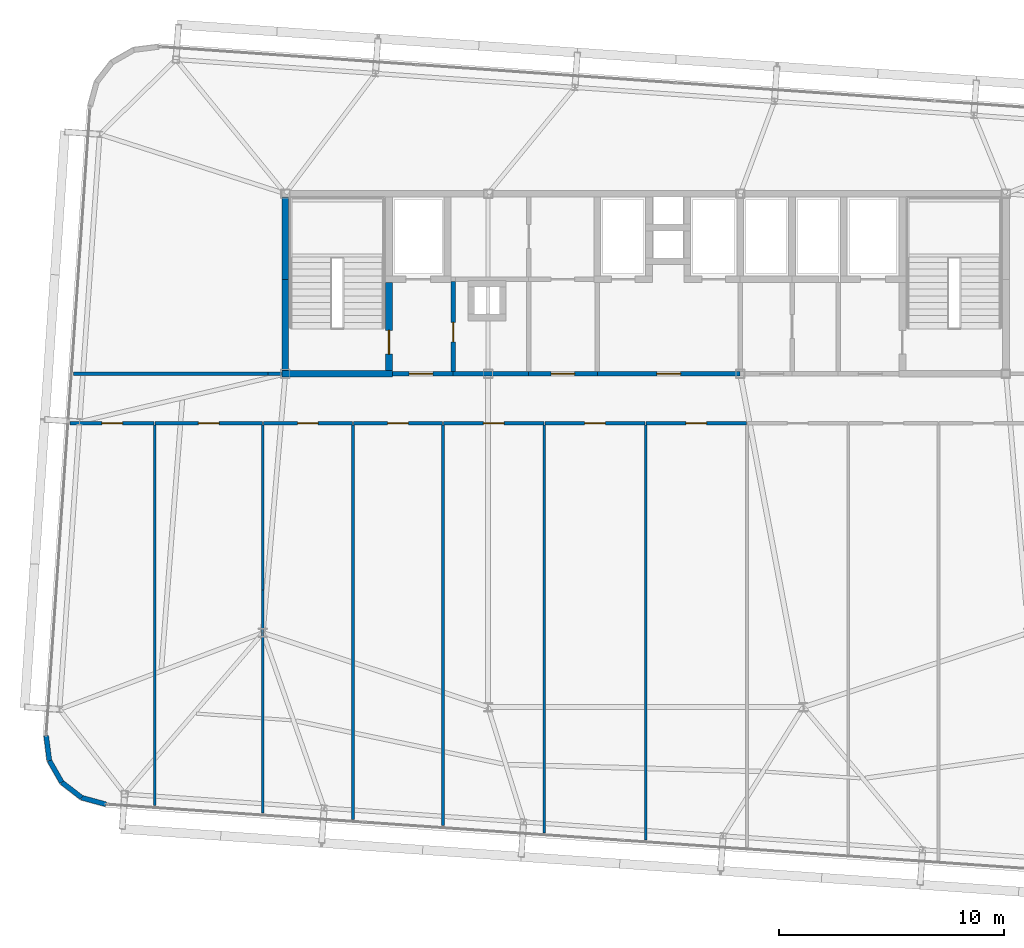
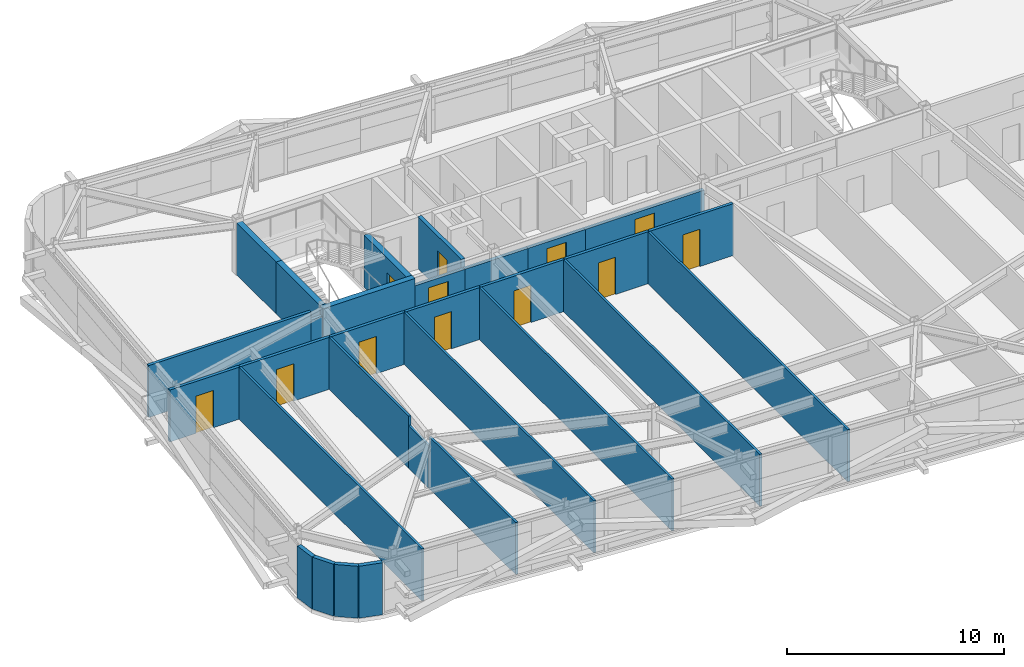
# One storey, part 35 of 39: 30 walls, 12 doors, 12 openings.
"""IFC4 building model written with IfcOpenShell, lengths in metres."""

from ifc_helpers import new_model, si_unit, direction, frame, frame_2d, origin, place, context, subcontext, project, spatial, rectangle, extrude, source, transform, mapped, material, layer, layer_set, type_object, element, fill, save


model = new_model("IFC4")

# Units and contexts
model_context = context("Model", 3, precision=1e-05, world=origin(), true_north=direction((0.0, 1.0)))
body_context = subcontext(model_context, "Body", "Model", "MODEL_VIEW")
ifc_project = project(units=[si_unit("LENGTHUNIT", "METRE"), si_unit("AREAUNIT", "SQUARE_METRE"), si_unit("VOLUMEUNIT", "CUBIC_METRE"), si_unit("PLANEANGLEUNIT", "RADIAN"), si_unit("MASSUNIT", "GRAM", prefix="KILO")], contexts=[model_context])

# Site, building, storey
site_placement = place(None, origin())
site = spatial("IfcSite", under=ifc_project, at=site_placement, CompositionType="ELEMENT")
building_placement = place(site_placement, origin())
building = spatial("IfcBuilding", under=site, at=building_placement, Name="Taldren Reach Tower", CompositionType="ELEMENT")
storey_placement = place(building_placement, frame((0.0, 0.0, 158.199951171875)))
storey = spatial("IfcBuildingStorey", under=building, at=storey_placement, Name="L48", CompositionType="ELEMENT", Elevation=158.199951171875)

# Walls
ifc_material_1 = material(Name="Pale Champagne Anodised Aluminium Cladding", Category="aluminium")
ifc_layer_1 = layer(ifc_material_1, 0.04, Name="Pale Champagne Anodised Aluminium Cladding", Category="aluminium")
ifc_material_2 = material(Name="Mineral Wool Acoustic Insulation", Category="insulation")
ifc_layer_2 = layer(ifc_material_2, 0.06, Name="Mineral Wool Acoustic Insulation", Category="insulation")
ifc_material_3 = material(Name="Steel Gr 350 (C350L0)", Category="steel")
ifc_layer_3 = layer(ifc_material_3, 0.12, Name="Steel Gr 350 (C350L0)", Category="steel")
ifc_layer_set_1 = layer_set([ifc_layer_1, ifc_layer_2, ifc_layer_3], Name="Pale Champagne Aluminium Cladding and Steel Gr 350 Stud Framing")
wall_type_1 = type_object("IfcWallType", Name="EW-CRN-220", PredefinedType="SOLIDWALL", material=ifc_layer_set_1)
shared_shape_1 = source(origin(), body_context, "Body", "SweptSolid", [
    extrude(rectangle(XDim=1.115966796875, YDim=0.219970703125, at=frame_2d((0.55810546875, 0.0))), origin(), (0.0, 0.0, 1.0), 2.929931640625),
])
for number, where, z_axis, x_axis, name in (
    (1, (8.37646484375, 7.93798828125, 0.0), (0.0, 0.0, 1.0), (0.126242535829, -0.991999406324, 0.0), "Rounded-corner pale-metal facade wall L48-SW1"),
    (2, (8.517333984375, 6.8310546875, 0.0), (0.0, 0.0, 1.0), (0.496138938357, -0.868243142124, 0.0), "Rounded-corner pale-metal facade wall L48-SW2"),
    (3, (9.071044921875, 5.862060546875, 0.0), (0.0, 0.0, 1.0), (0.790716874741, -0.612182018684, 0.0), "Rounded-corner pale-metal facade wall L48-SW3"),
    (4, (9.953369140625, 5.178955078125, 0.0), (0.0, 0.0, 1.0), (0.964804199372, -0.262969307856, 0.0), "Rounded-corner pale-metal facade wall L48-SW4"),
):
    element("IfcWall", number, at=place(storey_placement, frame(where, z_axis=z_axis, x_axis=x_axis)), inside=storey, type_object=wall_type_1, Name=name, PredefinedType="SOLIDWALL", context=body_context, shape_type="MappedRepresentation", body=[
        mapped(shared_shape_1, transform((0.0, 0.0, 0.0), scale=1.0)),
    ])

# Wall, opening, door
ifc_material_4 = material(Name="Fire-Rated Acoustic Plasterboard Stud Wall", Category="gypsum")
ifc_layer_4 = layer(ifc_material_4, 0.159912109375)
ifc_layer_set_2 = layer_set([ifc_layer_4], Name="Fire-Rated Acoustic Plasterboard Stud Wall")
wall_type_2 = type_object("IfcWallType", Name="IW-FIRE-160", PredefinedType="PARTITIONING", material=ifc_layer_set_2)
shared_shape_2 = source(origin(), body_context, "Body", "SweptSolid", [
    extrude(rectangle(XDim=3.95947265625, YDim=0.159912109375, at=frame_2d((1.979736328125, 0.0))), origin(), (0.0, 0.0, 1.0), 2.929931640625),
])
wall_1_placement = place(storey_placement, frame((21.979736328125, 21.800048828125, 0.0), z_axis=(0.0, 0.0, 1.0), x_axis=(-1.0, 0.0, 0.0)))
wall_1 = element("IfcWall", 5, at=wall_1_placement, inside=storey, type_object=wall_type_2, Name="Interior Partition Wall W-INT-L48-048", PredefinedType="PARTITIONING", context=body_context, shape_type="MappedRepresentation", body=[
    mapped(shared_shape_2, transform((0.0, 0.0, 0.0), scale=1.0)),
])
shared_shape_3 = source(origin(), body_context, "Body", "SweptSolid", [
    extrude(rectangle(XDim=0.919921875, YDim=2.10009765625, at=frame_2d((0.4599609375, 1.050048828125))), frame((0.0, 0.08984375, 0.0), z_axis=(0.0, -1.0, 0.0), x_axis=(1.0, 0.0, 0.0)), (0.0, 0.0, 1.0), 0.179931640625),
])
opening_1_placement = place(wall_1_placement, frame((1.519775390625, 0.0, 0.0)))
opening_1 = element("IfcOpeningElement", 6, at=opening_1_placement, cuts=wall_1, Name="Opening DI-092", PredefinedType="OPENING", context=body_context, shape_type="MappedRepresentation", body=[
    mapped(shared_shape_3, transform((0.0, 0.0, 0.0), scale=1.0)),
])
ifc_material_5 = material(Name="Solid-Core Timber Suite Door", Category="wood")
door_type_1 = type_object("IfcDoorType", Name="ID-INT-092", OperationType="NOTDEFINED", PredefinedType="DOOR", material=ifc_material_5)
shared_shape_4 = source(origin(), body_context, "Body", "SweptSolid", [
    extrude(rectangle(XDim=0.919921875, YDim=2.10009765625, at=frame_2d((0.4599609375, 1.050048828125))), frame((0.0, 0.02490234375, 0.0), z_axis=(0.0, -1.0, 0.0), x_axis=(1.0, 0.0, 0.0)), (0.0, 0.0, 1.0), 0.050048828125),
])
door_1_placement = place(opening_1_placement, origin())
door_1 = element("IfcDoor", 7, at=door_1_placement, inside=storey, type_object=door_type_1, Name="Interior Door DR-L48-013", OperationType="SINGLE_SWING_RIGHT", OverallHeight=2.10009765625, OverallWidth=0.919921875, PredefinedType="DOOR", context=body_context, shape_type="MappedRepresentation", body=[
    mapped(shared_shape_4, transform((0.0, 0.0, 0.0), scale=1.0)),
])
fill(opening_1, door_1)

wall_2_placement = place(storey_placement, frame((25.979736328125, 21.800048828125, 0.0), z_axis=(0.0, 0.0, 1.0), x_axis=(-1.0, 0.0, 0.0)))
wall_2 = element("IfcWall", 8, at=wall_2_placement, inside=storey, type_object=wall_type_2, Name="Interior Partition Wall W-INT-L48-049", PredefinedType="PARTITIONING", context=body_context, shape_type="MappedRepresentation", body=[
    mapped(shared_shape_2, transform((0.0, 0.0, 0.0), scale=1.0)),
])
opening_2_placement = place(wall_2_placement, frame((1.519775390625, 0.0, 0.0)))
opening_2 = element("IfcOpeningElement", 9, at=opening_2_placement, cuts=wall_2, Name="Opening DI-092", PredefinedType="OPENING", context=body_context, shape_type="MappedRepresentation", body=[
    mapped(shared_shape_3, transform((0.0, 0.0, 0.0), scale=1.0)),
])
door_2_placement = place(opening_2_placement, origin())
door_2 = element("IfcDoor", 10, at=door_2_placement, inside=storey, type_object=door_type_1, Name="Interior Door DR-L48-014", OperationType="SINGLE_SWING_LEFT", OverallHeight=2.10009765625, OverallWidth=0.919921875, PredefinedType="DOOR", context=body_context, shape_type="MappedRepresentation", body=[
    mapped(shared_shape_4, transform((0.0, 0.0, 0.0), scale=1.0)),
])
fill(opening_2, door_2)

# Walls
ifc_material_6 = material(Name="Concrete S65 (65 MPa)", Category="concrete")
ifc_layer_5 = layer(ifc_material_6, 0.300048828125)
ifc_layer_set_3 = layer_set([ifc_layer_5], Name="Concrete S65 (65 MPa)")
wall_type_3 = type_object("IfcWallType", Name="IW-CORE-300", PredefinedType="SHEAR", material=ifc_layer_set_3)
shared_shape_5 = source(origin(), body_context, "Body", "SweptSolid", [
    extrude(rectangle(XDim=4.050048828125, YDim=0.300048828125, at=frame_2d((2.02490234375, 0.0))), origin(), (0.0, 0.0, 1.0), 2.929931640625),
])
wall_3_placement = place(storey_placement, frame((19.0, 24.14990234375, 0.0), z_axis=(0.0, 0.0, 1.0), x_axis=(0.0, 1.0, 0.0)))
element("IfcWall", 11, at=wall_3_placement, inside=storey, type_object=wall_type_3, Name="Rear Core Shear Wall W-CORE-L48-WEST1", PredefinedType="SHEAR", context=body_context, shape_type="MappedRepresentation", body=[
    mapped(shared_shape_5, transform((0.0, 0.0, 0.0), scale=1.0)),
])
shared_shape_6 = source(origin(), body_context, "Body", "SweptSolid", [
    extrude(rectangle(XDim=3.650146484375, YDim=0.300048828125, at=frame_2d((1.8251953125, 0.0))), origin(), (0.0, 0.0, 1.0), 2.929931640625),
])
wall_4_placement = place(storey_placement, frame((19.0, 28.199951171875, 0.0), z_axis=(0.0, 0.0, 1.0), x_axis=(0.0, 1.0, 0.0)))
element("IfcWall", 12, at=wall_4_placement, inside=storey, type_object=wall_type_3, Name="Rear Core Shear Wall W-CORE-L48-WEST2", PredefinedType="SHEAR", context=body_context, shape_type="MappedRepresentation", body=[
    mapped(shared_shape_6, transform((0.0, 0.0, 0.0), scale=1.0)),
])

# Wall, opening, door
shared_shape_7 = source(origin(), body_context, "Body", "SweptSolid", [
    extrude(rectangle(XDim=3.900146484375, YDim=0.300048828125, at=frame_2d((1.9501953125, 0.0))), origin(), (0.0, 0.0, 1.0), 2.929931640625),
])
wall_5_placement = place(storey_placement, frame((23.60009765625, 24.14990234375, 0.0), z_axis=(0.0, 0.0, 1.0), x_axis=(0.0, 1.0, 0.0)))
wall_5 = element("IfcWall", 13, at=wall_5_placement, inside=storey, type_object=wall_type_3, Name="Rear Core Shear Wall W-INT-L48-002", PredefinedType="SHEAR", context=body_context, shape_type="MappedRepresentation", body=[
    mapped(shared_shape_7, transform((0.0, 0.0, 0.0), scale=1.0)),
])
shared_shape_8 = source(origin(), body_context, "Body", "SweptSolid", [
    extrude(rectangle(XDim=1.050048828125, YDim=2.10009765625, at=frame_2d((0.52490234375, 1.050048828125))), frame((0.0, 0.16015625, 0.0), z_axis=(0.0, -1.0, 0.0), x_axis=(1.0, 0.0, 0.0)), (0.0, 0.0, 1.0), 0.320068359375),
])
opening_3_placement = place(wall_5_placement, frame((0.72509765625, 0.0, 0.0)))
opening_3 = element("IfcOpeningElement", 14, at=opening_3_placement, cuts=wall_5, Name="Opening DF-105", PredefinedType="OPENING", context=body_context, shape_type="MappedRepresentation", body=[
    mapped(shared_shape_8, transform((0.0, 0.0, 0.0), scale=1.0)),
])
ifc_material_7 = material(Name="Fire-Rated Care and Stair Exit Door")
door_type_2 = type_object("IfcDoorType", Name="ID-FIRE-105", OperationType="NOTDEFINED", PredefinedType="DOOR", material=ifc_material_7)
shared_shape_9 = source(origin(), body_context, "Body", "SweptSolid", [
    extrude(rectangle(XDim=1.050048828125, YDim=2.10009765625, at=frame_2d((0.52490234375, 1.050048828125))), frame((0.0, 0.02490234375, 0.0), z_axis=(0.0, -1.0, 0.0), x_axis=(1.0, 0.0, 0.0)), (0.0, 0.0, 1.0), 0.050048828125),
])
door_3_placement = place(opening_3_placement, origin())
door_3 = element("IfcDoor", 15, at=door_3_placement, inside=storey, type_object=door_type_2, Name="Fire Exit Stair Door DR-L48-001", OperationType="SINGLE_SWING_LEFT", OverallHeight=2.10009765625, OverallWidth=1.050048828125, PredefinedType="DOOR", context=body_context, shape_type="MappedRepresentation", body=[
    mapped(shared_shape_9, transform((0.0, 0.0, 0.0), scale=1.0)),
])
fill(opening_3, door_3)

# Wall
shared_shape_10 = source(origin(), body_context, "Body", "SweptSolid", [
    extrude(rectangle(XDim=4.89990234375, YDim=0.300048828125, at=frame_2d((2.449951171875, 0.0))), origin(), (0.0, 0.0, 1.0), 2.929931640625),
])
wall_6_placement = place(storey_placement, frame((18.85009765625, 24.0, 0.0), z_axis=(0.0, 0.0, 1.0), x_axis=(1.0, 0.0, 0.0)))
element("IfcWall", 16, at=wall_6_placement, inside=storey, type_object=wall_type_3, Name="Rear Core Shear Wall W-INT-L48-003", PredefinedType="SHEAR", context=body_context, shape_type="MappedRepresentation", body=[
    mapped(shared_shape_10, transform((0.0, 0.0, 0.0), scale=1.0)),
])

# Wall, opening, door
ifc_material_8 = material(Name="Concrete S50 (50 MPa)", Category="concrete")
ifc_layer_6 = layer(ifc_material_8, 0.199951171875)
ifc_layer_set_4 = layer_set([ifc_layer_6], Name="Concrete S50 (50 MPa)")
wall_type_4 = type_object("IfcWallType", Name="IW-CORE-200", PredefinedType="SOLIDWALL", material=ifc_layer_set_4)
shared_shape_11 = source(origin(), body_context, "Body", "SweptSolid", [
    extrude(rectangle(XDim=2.699951171875, YDim=0.199951171875, at=frame_2d((1.35009765625, 0.0))), origin(), (0.0, 0.0, 1.0), 2.469970703125),
])
wall_7_placement = place(storey_placement, frame((23.75, 24.0, 0.0), z_axis=(0.0, 0.0, 1.0), x_axis=(1.0, 0.0, 0.0)))
wall_7 = element("IfcWall", 17, at=wall_7_placement, inside=storey, type_object=wall_type_4, Name="Rear Core Shear Wall W-INT-L48-007", PredefinedType="SOLIDWALL", context=body_context, shape_type="MappedRepresentation", body=[
    mapped(shared_shape_11, transform((0.0, 0.0, 0.0), scale=1.0)),
])
shared_shape_12 = source(origin(), body_context, "Body", "SweptSolid", [
    extrude(rectangle(XDim=1.050048828125, YDim=2.10009765625, at=frame_2d((0.52490234375, 1.050048828125))), frame((0.0, 0.10986328125, 0.0), z_axis=(0.0, -1.0, 0.0), x_axis=(1.0, 0.0, 0.0)), (0.0, 0.0, 1.0), 0.219970703125),
])
opening_4_placement = place(wall_7_placement, frame((0.75, 0.0, 0.0)))
opening_4 = element("IfcOpeningElement", 18, at=opening_4_placement, cuts=wall_7, Name="Opening DF-105", PredefinedType="OPENING", context=body_context, shape_type="MappedRepresentation", body=[
    mapped(shared_shape_12, transform((0.0, 0.0, 0.0), scale=1.0)),
])
door_4_placement = place(opening_4_placement, origin())
door_4 = element("IfcDoor", 19, at=door_4_placement, inside=storey, type_object=door_type_2, Name="Interior Door DR-L48-002", OperationType="SINGLE_SWING_LEFT", OverallHeight=2.10009765625, OverallWidth=1.050048828125, PredefinedType="DOOR", context=body_context, shape_type="MappedRepresentation", body=[
    mapped(shared_shape_9, transform((0.0, 0.0, 0.0), scale=1.0)),
])
fill(opening_4, door_4)

shared_shape_13 = source(origin(), body_context, "Body", "SweptSolid", [
    extrude(rectangle(XDim=4.0, YDim=0.199951171875, at=frame_2d((2.0, 0.0))), origin(), (0.0, 0.0, 1.0), 2.929931640625),
])
wall_8_placement = place(storey_placement, frame((26.449951171875, 24.10009765625, 0.0), z_axis=(0.0, 0.0, 1.0), x_axis=(0.0, 1.0, 0.0)))
wall_8 = element("IfcWall", 20, at=wall_8_placement, inside=storey, type_object=wall_type_4, Name="Rear Core Shear Wall W-INT-L48-006", PredefinedType="SOLIDWALL", context=body_context, shape_type="MappedRepresentation", body=[
    mapped(shared_shape_13, transform((0.0, 0.0, 0.0), scale=1.0)),
])
shared_shape_14 = source(origin(), body_context, "Body", "SweptSolid", [
    extrude(rectangle(XDim=0.860107421875, YDim=2.10009765625, at=frame_2d((0.43017578125, 1.050048828125))), frame((0.0, 0.10986328125, 0.0), z_axis=(0.0, -1.0, 0.0), x_axis=(1.0, 0.0, 0.0)), (0.0, 0.0, 1.0), 0.219970703125),
])
opening_5_placement = place(wall_8_placement, frame((1.320068359375, 0.0, 0.0)))
opening_5 = element("IfcOpeningElement", 21, at=opening_5_placement, cuts=wall_8, Name="Opening DI-086", PredefinedType="OPENING", context=body_context, shape_type="MappedRepresentation", body=[
    mapped(shared_shape_14, transform((0.0, 0.0, 0.0), scale=1.0)),
])
ifc_material_9 = material(Name="Timber Bathroom Door", Category="wood")
door_type_3 = type_object("IfcDoorType", Name="ID-INT-086", OperationType="NOTDEFINED", PredefinedType="DOOR", material=ifc_material_9)
shared_shape_15 = source(origin(), body_context, "Body", "SweptSolid", [
    extrude(rectangle(XDim=0.860107421875, YDim=2.10009765625, at=frame_2d((0.43017578125, 1.050048828125))), frame((0.0, 0.02490234375, 0.0), z_axis=(0.0, -1.0, 0.0), x_axis=(1.0, 0.0, 0.0)), (0.0, 0.0, 1.0), 0.050048828125),
])
door_5_placement = place(opening_5_placement, frame((0.860107421875, 0.0, 0.0), z_axis=(0.0, 0.0, 1.0), x_axis=(-1.0, 0.0, 0.0)))
door_5 = element("IfcDoor", 22, at=door_5_placement, inside=storey, type_object=door_type_3, Name="Interior Door DR-L48-024", OperationType="SINGLE_SWING_RIGHT", OverallHeight=2.10009765625, OverallWidth=0.860107421875, PredefinedType="DOOR", context=body_context, shape_type="MappedRepresentation", body=[
    mapped(shared_shape_15, transform((0.0, 0.0, 0.0), scale=1.0)),
])
fill(opening_5, door_5)

shared_shape_16 = source(origin(), body_context, "Body", "SweptSolid", [
    extrude(rectangle(XDim=6.349853515625, YDim=0.199951171875, at=frame_2d((3.1748046875, 0.0))), origin(), (0.0, 0.0, 1.0), 2.469970703125),
])
wall_9_placement = place(storey_placement, frame((39.199951171875, 24.0, 0.0), z_axis=(0.0, 0.0, 1.0), x_axis=(-1.0, 0.0, 0.0)))
wall_9 = element("IfcWall", 23, at=wall_9_placement, inside=storey, type_object=wall_type_4, Name="Rear Core Shear Wall W-INT-L48-033", PredefinedType="SOLIDWALL", context=body_context, shape_type="MappedRepresentation", body=[
    mapped(shared_shape_16, transform((0.0, 0.0, 0.0), scale=1.0)),
])
opening_6_placement = place(wall_9_placement, frame((2.64990234375, 0.0, 0.0)))
opening_6 = element("IfcOpeningElement", 24, at=opening_6_placement, cuts=wall_9, Name="Opening DF-105", PredefinedType="OPENING", context=body_context, shape_type="MappedRepresentation", body=[
    mapped(shared_shape_12, transform((0.0, 0.0, 0.0), scale=1.0)),
])
door_6_placement = place(opening_6_placement, frame((1.050048828125, 0.0, 0.0), z_axis=(0.0, 0.0, 1.0), x_axis=(-1.0, 0.0, 0.0)))
door_6 = element("IfcDoor", 25, at=door_6_placement, inside=storey, type_object=door_type_2, Name="Interior Door DR-L48-005", OperationType="SINGLE_SWING_LEFT", OverallHeight=2.10009765625, OverallWidth=1.050048828125, PredefinedType="DOOR", context=body_context, shape_type="MappedRepresentation", body=[
    mapped(shared_shape_9, transform((0.0, 0.0, 0.0), scale=1.0)),
])
fill(opening_6, door_6)

# Wall
shared_shape_17 = source(origin(), body_context, "Body", "SweptSolid", [
    extrude(rectangle(XDim=3.35009765625, YDim=0.199951171875, at=frame_2d((1.675048828125, 0.0))), origin(), (0.0, 0.0, 1.0), 2.469970703125),
])
wall_10_placement = place(storey_placement, frame((29.800048828125, 24.0, 0.0), z_axis=(0.0, 0.0, 1.0), x_axis=(-1.0, 0.0, 0.0)))
element("IfcWall", 26, at=wall_10_placement, inside=storey, type_object=wall_type_4, Name="Rear Core Shear Wall W-INT-L48-039", PredefinedType="SOLIDWALL", context=body_context, shape_type="MappedRepresentation", body=[
    mapped(shared_shape_17, transform((0.0, 0.0, 0.0), scale=1.0)),
])

# Wall, opening, door
shared_shape_18 = source(origin(), body_context, "Body", "SweptSolid", [
    extrude(rectangle(XDim=3.050048828125, YDim=0.199951171875, at=frame_2d((1.52490234375, 0.0))), origin(), (0.0, 0.0, 1.0), 2.469970703125),
])
wall_11_placement = place(storey_placement, frame((32.85009765625, 24.0, 0.0), z_axis=(0.0, 0.0, 1.0), x_axis=(-1.0, 0.0, 0.0)))
wall_11 = element("IfcWall", 27, at=wall_11_placement, inside=storey, type_object=wall_type_4, Name="Rear Core Shear Wall W-INT-L48-041", PredefinedType="SOLIDWALL", context=body_context, shape_type="MappedRepresentation", body=[
    mapped(shared_shape_18, transform((0.0, 0.0, 0.0), scale=1.0)),
])
opening_7_placement = place(wall_11_placement, frame((1.0, 0.0, 0.0)))
opening_7 = element("IfcOpeningElement", 28, at=opening_7_placement, cuts=wall_11, Name="Opening DF-105", PredefinedType="OPENING", context=body_context, shape_type="MappedRepresentation", body=[
    mapped(shared_shape_12, transform((0.0, 0.0, 0.0), scale=1.0)),
])
door_7_placement = place(opening_7_placement, frame((1.050048828125, 0.0, 0.0), z_axis=(0.0, 0.0, 1.0), x_axis=(-1.0, 0.0, 0.0)))
door_7 = element("IfcDoor", 29, at=door_7_placement, inside=storey, type_object=door_type_2, Name="Interior Door DR-L48-007", OperationType="SINGLE_SWING_LEFT", OverallHeight=2.10009765625, OverallWidth=1.050048828125, PredefinedType="DOOR", context=body_context, shape_type="MappedRepresentation", body=[
    mapped(shared_shape_9, transform((0.0, 0.0, 0.0), scale=1.0)),
])
fill(opening_7, door_7)

# Walls
shared_shape_19 = source(origin(), body_context, "Body", "SweptSolid", [
    extrude(rectangle(XDim=8.65234375, YDim=0.159912109375, at=frame_2d((4.326171875, 0.0))), origin(), (0.0, 0.0, 1.0), 2.929931640625),
])
wall_12_placement = place(storey_placement, frame((9.584228515625, 24.0, 0.0), z_axis=(0.0, 0.0, 1.0), x_axis=(1.0, 0.0, 0.0)))
element("IfcWall", 30, at=wall_12_placement, inside=storey, type_object=wall_type_2, Name="Interior Partition Wall W-INT-L48-059", PredefinedType="PARTITIONING", context=body_context, shape_type="MappedRepresentation", body=[
    mapped(shared_shape_19, transform((0.0, 0.0, 0.0), scale=1.0)),
])
shared_shape_20 = source(origin(), body_context, "Body", "SweptSolid", [
    extrude(rectangle(XDim=0.613525390625, YDim=0.159912109375, at=frame_2d((0.306640625, 0.0))), origin(), (0.0, 0.0, 1.0), 2.469970703125),
])
wall_13_placement = place(storey_placement, frame((18.236572265625, 24.0, 0.0), z_axis=(0.0, 0.0, 1.0), x_axis=(1.0, 0.0, 0.0)))
element("IfcWall", 31, at=wall_13_placement, inside=storey, type_object=wall_type_2, Name="Interior Partition Wall W-INT-L48-059 part 2", PredefinedType="PARTITIONING", context=body_context, shape_type="MappedRepresentation", body=[
    mapped(shared_shape_20, transform((0.0, 0.0, 0.0), scale=1.0)),
])
ifc_material_10 = material(Name="Insulated Residential Stud Partition", Category="gypsum")
ifc_layer_7 = layer(ifc_material_10, 0.1201171875)
ifc_layer_set_5 = layer_set([ifc_layer_7], Name="Insulated Residential Stud Partition")
wall_type_5 = type_object("IfcWallType", Name="IW-PART-120", PredefinedType="PARTITIONING", material=ifc_layer_set_5)
shared_shape_21 = source(origin(), body_context, "Body", "SweptSolid", [
    extrude(rectangle(XDim=1.9013671875, YDim=0.1201171875, at=frame_2d((0.95068359375, 0.0))), origin(), (0.0, 0.0, 1.0), 2.39697265625),
])
wall_14_placement = place(storey_placement, frame((18.0, 14.396240234375, 0.0), z_axis=(0.0, 0.0, 1.0), x_axis=(0.0, -1.0, 0.0)))
element("IfcWall", 32, at=wall_14_placement, inside=storey, type_object=wall_type_5, Name="Interior Partition Wall W-INT-L48-061 part 2", PredefinedType="PARTITIONING", context=body_context, shape_type="MappedRepresentation", body=[
    mapped(shared_shape_21, transform((0.0, 0.0, 0.0), scale=1.0)),
])
shared_shape_22 = source(origin(), body_context, "Body", "SweptSolid", [
    extrude(rectangle(XDim=18.410888671875, YDim=0.1201171875, at=frame_2d((9.20556640625, 0.0))), origin(), (0.0, 0.0, 1.0), 2.929931640625),
])
wall_15_placement = place(storey_placement, frame((35.0, 21.718017578125, 0.0), z_axis=(0.0, 0.0, 1.0), x_axis=(0.0, -1.0, 0.0)))
element("IfcWall", 33, at=wall_15_placement, inside=storey, type_object=wall_type_5, Name="Interior Partition Wall W-INT-L48-065", PredefinedType="PARTITIONING", context=body_context, shape_type="MappedRepresentation", body=[
    mapped(shared_shape_22, transform((0.0, 0.0, 0.0), scale=1.0)),
])

# Wall, opening, door
shared_shape_23 = source(origin(), body_context, "Body", "SweptSolid", [
    extrude(rectangle(XDim=3.732177734375, YDim=0.159912109375, at=frame_2d((1.8662109375, 0.0))), origin(), (0.0, 0.0, 1.0), 2.929931640625),
])
wall_16_placement = place(storey_placement, frame((13.173583984375, 21.800048828125, 0.0), z_axis=(0.0, 0.0, 1.0), x_axis=(-1.0, 0.0, 0.0)))
wall_16 = element("IfcWall", 34, at=wall_16_placement, inside=storey, type_object=wall_type_2, Name="Interior Partition Wall W-INT-L48-046", PredefinedType="PARTITIONING", context=body_context, shape_type="MappedRepresentation", body=[
    mapped(shared_shape_23, transform((0.0, 0.0, 0.0), scale=1.0)),
])
opening_8_placement = place(wall_16_placement, frame((1.406005859375, 0.0, 0.0)))
opening_8 = element("IfcOpeningElement", 35, at=opening_8_placement, cuts=wall_16, Name="Opening DI-092", PredefinedType="OPENING", context=body_context, shape_type="MappedRepresentation", body=[
    mapped(shared_shape_3, transform((0.0, 0.0, 0.0), scale=1.0)),
])
door_8_placement = place(opening_8_placement, origin())
door_8 = element("IfcDoor", 36, at=door_8_placement, inside=storey, type_object=door_type_1, Name="Interior Door DR-L48-011", OperationType="SINGLE_SWING_RIGHT", OverallHeight=2.10009765625, OverallWidth=0.919921875, PredefinedType="DOOR", context=body_context, shape_type="MappedRepresentation", body=[
    mapped(shared_shape_4, transform((0.0, 0.0, 0.0), scale=1.0)),
])
fill(opening_8, door_8)

shared_shape_24 = source(origin(), body_context, "Body", "SweptSolid", [
    extrude(rectangle(XDim=4.765380859375, YDim=0.159912109375, at=frame_2d((2.3828125, 0.0))), origin(), (0.0, 0.0, 1.0), 2.929931640625),
])
wall_17_placement = place(storey_placement, frame((17.9794921875, 21.800048828125, 0.0), z_axis=(0.0, 0.0, 1.0), x_axis=(-1.0, 0.0, 0.0)))
wall_17 = element("IfcWall", 37, at=wall_17_placement, inside=storey, type_object=wall_type_2, Name="Interior Partition Wall W-INT-L48-047", PredefinedType="PARTITIONING", context=body_context, shape_type="MappedRepresentation", body=[
    mapped(shared_shape_24, transform((0.0, 0.0, 0.0), scale=1.0)),
])
opening_9_placement = place(wall_17_placement, frame((1.922607421875, 0.0, 0.0)))
opening_9 = element("IfcOpeningElement", 38, at=opening_9_placement, cuts=wall_17, Name="Opening DI-092", PredefinedType="OPENING", context=body_context, shape_type="MappedRepresentation", body=[
    mapped(shared_shape_3, transform((0.0, 0.0, 0.0), scale=1.0)),
])
door_9_placement = place(opening_9_placement, origin())
door_9 = element("IfcDoor", 39, at=door_9_placement, inside=storey, type_object=door_type_1, Name="Interior Door DR-L48-012", OperationType="SINGLE_SWING_LEFT", OverallHeight=2.10009765625, OverallWidth=0.919921875, PredefinedType="DOOR", context=body_context, shape_type="MappedRepresentation", body=[
    mapped(shared_shape_4, transform((0.0, 0.0, 0.0), scale=1.0)),
])
fill(opening_9, door_9)

shared_shape_25 = source(origin(), body_context, "Body", "SweptSolid", [
    extrude(rectangle(XDim=4.45947265625, YDim=0.159912109375, at=frame_2d((2.229736328125, 0.0))), origin(), (0.0, 0.0, 1.0), 2.929931640625),
])
wall_18_placement = place(storey_placement, frame((30.479736328125, 21.800048828125, 0.0), z_axis=(0.0, 0.0, 1.0), x_axis=(-1.0, 0.0, 0.0)))
wall_18 = element("IfcWall", 40, at=wall_18_placement, inside=storey, type_object=wall_type_2, Name="Interior Partition Wall W-INT-L48-050", PredefinedType="PARTITIONING", context=body_context, shape_type="MappedRepresentation", body=[
    mapped(shared_shape_25, transform((0.0, 0.0, 0.0), scale=1.0)),
])
opening_10_placement = place(wall_18_placement, frame((1.769775390625, 0.0, 0.0)))
opening_10 = element("IfcOpeningElement", 41, at=opening_10_placement, cuts=wall_18, Name="Opening DI-092", PredefinedType="OPENING", context=body_context, shape_type="MappedRepresentation", body=[
    mapped(shared_shape_3, transform((0.0, 0.0, 0.0), scale=1.0)),
])
door_10_placement = place(opening_10_placement, origin())
door_10 = element("IfcDoor", 42, at=door_10_placement, inside=storey, type_object=door_type_1, Name="Interior Door DR-L48-015", OperationType="SINGLE_SWING_RIGHT", OverallHeight=2.10009765625, OverallWidth=0.919921875, PredefinedType="DOOR", context=body_context, shape_type="MappedRepresentation", body=[
    mapped(shared_shape_4, transform((0.0, 0.0, 0.0), scale=1.0)),
])
fill(opening_10, door_10)

wall_19_placement = place(storey_placement, frame((34.979736328125, 21.800048828125, 0.0), z_axis=(0.0, 0.0, 1.0), x_axis=(-1.0, 0.0, 0.0)))
wall_19 = element("IfcWall", 43, at=wall_19_placement, inside=storey, type_object=wall_type_2, Name="Interior Partition Wall W-INT-L48-051", PredefinedType="PARTITIONING", context=body_context, shape_type="MappedRepresentation", body=[
    mapped(shared_shape_25, transform((0.0, 0.0, 0.0), scale=1.0)),
])
opening_11_placement = place(wall_19_placement, frame((1.769775390625, 0.0, 0.0)))
opening_11 = element("IfcOpeningElement", 44, at=opening_11_placement, cuts=wall_19, Name="Opening DI-092", PredefinedType="OPENING", context=body_context, shape_type="MappedRepresentation", body=[
    mapped(shared_shape_3, transform((0.0, 0.0, 0.0), scale=1.0)),
])
door_11_placement = place(opening_11_placement, origin())
door_11 = element("IfcDoor", 45, at=door_11_placement, inside=storey, type_object=door_type_1, Name="Interior Door DR-L48-016", OperationType="SINGLE_SWING_LEFT", OverallHeight=2.10009765625, OverallWidth=0.919921875, PredefinedType="DOOR", context=body_context, shape_type="MappedRepresentation", body=[
    mapped(shared_shape_4, transform((0.0, 0.0, 0.0), scale=1.0)),
])
fill(opening_11, door_11)

wall_20_placement = place(storey_placement, frame((39.479736328125, 21.800048828125, 0.0), z_axis=(0.0, 0.0, 1.0), x_axis=(-1.0, 0.0, 0.0)))
wall_20 = element("IfcWall", 46, at=wall_20_placement, inside=storey, type_object=wall_type_2, Name="Interior Partition Wall W-INT-L48-052", PredefinedType="PARTITIONING", context=body_context, shape_type="MappedRepresentation", body=[
    mapped(shared_shape_25, transform((0.0, 0.0, 0.0), scale=1.0)),
])
opening_12_placement = place(wall_20_placement, frame((1.769775390625, 0.0, 0.0)))
opening_12 = element("IfcOpeningElement", 47, at=opening_12_placement, cuts=wall_20, Name="Opening DI-092", PredefinedType="OPENING", context=body_context, shape_type="MappedRepresentation", body=[
    mapped(shared_shape_3, transform((0.0, 0.0, 0.0), scale=1.0)),
])
door_12_placement = place(opening_12_placement, origin())
door_12 = element("IfcDoor", 48, at=door_12_placement, inside=storey, type_object=door_type_1, Name="Interior Door DR-L48-017", OperationType="SINGLE_SWING_RIGHT", OverallHeight=2.10009765625, OverallWidth=0.919921875, PredefinedType="DOOR", context=body_context, shape_type="MappedRepresentation", body=[
    mapped(shared_shape_4, transform((0.0, 0.0, 0.0), scale=1.0)),
])
fill(opening_12, door_12)

# Walls
shared_shape_26 = source(origin(), body_context, "Body", "SweptSolid", [
    extrude(rectangle(XDim=16.88623046875, YDim=0.1201171875, at=frame_2d((8.443115234375, 0.0))), origin(), (0.0, 0.0, 1.0), 2.929931640625),
])
wall_21_placement = place(storey_placement, frame((13.19384765625, 21.718017578125, 0.0), z_axis=(0.0, 0.0, 1.0), x_axis=(0.0, -1.0, 0.0)))
element("IfcWall", 49, at=wall_21_placement, inside=storey, type_object=wall_type_5, Name="Interior Partition Wall W-INT-L48-060", PredefinedType="PARTITIONING", context=body_context, shape_type="MappedRepresentation", body=[
    mapped(shared_shape_26, transform((0.0, 0.0, 0.0), scale=1.0)),
])
shared_shape_27 = source(origin(), body_context, "Body", "SweptSolid", [
    extrude(rectangle(XDim=7.32080078125, YDim=0.1201171875, at=frame_2d((3.660400390625, 0.0))), origin(), (0.0, 0.0, 1.0), 2.929931640625),
])
wall_22_placement = place(storey_placement, frame((18.0, 21.717041015625, 0.0), z_axis=(0.0, 0.0, 1.0), x_axis=(0.0, -1.0, 0.0)))
element("IfcWall", 50, at=wall_22_placement, inside=storey, type_object=wall_type_5, Name="Interior Partition Wall W-INT-L48-061", PredefinedType="PARTITIONING", context=body_context, shape_type="MappedRepresentation", body=[
    mapped(shared_shape_27, transform((0.0, 0.0, 0.0), scale=1.0)),
])
shared_shape_28 = source(origin(), body_context, "Body", "SweptSolid", [
    extrude(rectangle(XDim=7.998046875, YDim=0.1201171875, at=frame_2d((3.9990234375, 0.0))), origin(), (0.0, 0.0, 1.0), 2.929931640625),
])
wall_23_placement = place(storey_placement, frame((18.0, 12.494873046875, 0.0), z_axis=(0.0, 0.0, 1.0), x_axis=(0.0, -1.0, 0.0)))
element("IfcWall", 51, at=wall_23_placement, inside=storey, type_object=wall_type_5, Name="Interior Partition Wall W-INT-L48-061 part 3", PredefinedType="PARTITIONING", context=body_context, shape_type="MappedRepresentation", body=[
    mapped(shared_shape_28, transform((0.0, 0.0, 0.0), scale=1.0)),
])
shared_shape_29 = source(origin(), body_context, "Body", "SweptSolid", [
    extrude(rectangle(XDim=17.505859375, YDim=0.1201171875, at=frame_2d((8.7529296875, 0.0))), origin(), (0.0, 0.0, 1.0), 2.929931640625),
])
wall_24_placement = place(storey_placement, frame((22.0, 21.719970703125, 0.0), z_axis=(0.0, 0.0, 1.0), x_axis=(0.0, -1.0, 0.0)))
element("IfcWall", 52, at=wall_24_placement, inside=storey, type_object=wall_type_5, Name="Interior Partition Wall W-INT-L48-062", PredefinedType="PARTITIONING", context=body_context, shape_type="MappedRepresentation", body=[
    mapped(shared_shape_29, transform((0.0, 0.0, 0.0), scale=1.0)),
])
shared_shape_30 = source(origin(), body_context, "Body", "SweptSolid", [
    extrude(rectangle(XDim=17.78173828125, YDim=0.1201171875, at=frame_2d((8.890869140625, 0.0))), origin(), (0.0, 0.0, 1.0), 2.929931640625),
])
wall_25_placement = place(storey_placement, frame((26.0, 21.718017578125, 0.0), z_axis=(0.0, 0.0, 1.0), x_axis=(0.0, -1.0, 0.0)))
element("IfcWall", 53, at=wall_25_placement, inside=storey, type_object=wall_type_5, Name="Interior Partition Wall W-INT-L48-063", PredefinedType="PARTITIONING", context=body_context, shape_type="MappedRepresentation", body=[
    mapped(shared_shape_30, transform((0.0, 0.0, 0.0), scale=1.0)),
])
shared_shape_31 = source(origin(), body_context, "Body", "SweptSolid", [
    extrude(rectangle(XDim=18.10009765625, YDim=0.1201171875, at=frame_2d((9.050048828125, 0.0))), origin(), (0.0, 0.0, 1.0), 2.929931640625),
])
wall_26_placement = place(storey_placement, frame((30.5, 21.719970703125, 0.0), z_axis=(0.0, 0.0, 1.0), x_axis=(0.0, -1.0, 0.0)))
element("IfcWall", 54, at=wall_26_placement, inside=storey, type_object=wall_type_5, Name="Interior Partition Wall W-INT-L48-064", PredefinedType="PARTITIONING", context=body_context, shape_type="MappedRepresentation", body=[
    mapped(shared_shape_31, transform((0.0, 0.0, 0.0), scale=1.0)),
])

save(model, "model.ifc")
